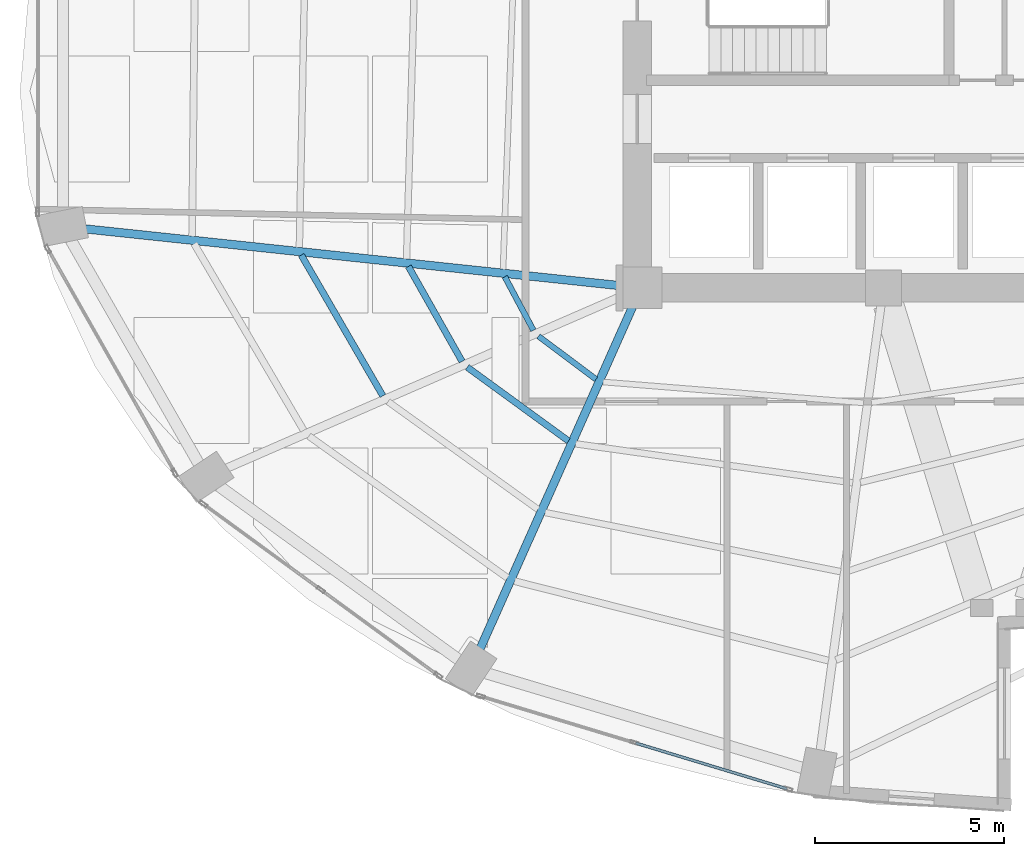
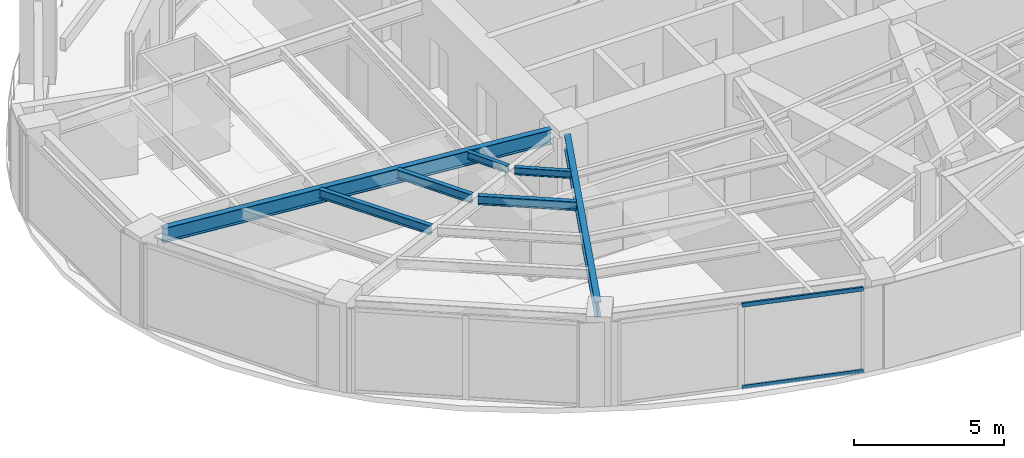
# One storey, part 4 of 24: 7 beams, 2 members, 1 element without a shape of its own.
"""IFC4 building model written with IfcOpenShell, lengths in metres."""

from ifc_helpers import new_model, si_unit, direction, frame, origin, origin_2d, place, context, subcontext, project, spatial, hollow_rectangle, i_section, extrude, material, layer, layer_set, material_profile, profile_set, type_object, element, aggregate, save


model = new_model("IFC4")

# Units and contexts
model_context = context("Model", 3, precision=1e-05, world=origin(), true_north=direction((0.0, 1.0)))
body_context = subcontext(model_context, "Body", "Model", "MODEL_VIEW")
ifc_project = project(units=[si_unit("LENGTHUNIT", "METRE"), si_unit("AREAUNIT", "SQUARE_METRE"), si_unit("VOLUMEUNIT", "CUBIC_METRE"), si_unit("PLANEANGLEUNIT", "RADIAN"), si_unit("MASSUNIT", "GRAM", prefix="KILO")], contexts=[model_context])

# Site, building, storey
site_placement = place(None, origin())
site = spatial("IfcSite", under=ifc_project, at=site_placement, CompositionType="ELEMENT")
building_placement = place(site_placement, origin())
building = spatial("IfcBuilding", under=site, at=building_placement, Name="Lazwardi Medical Tower", CompositionType="ELEMENT")
storey_placement = place(building_placement, frame((0.0, 0.0, 110.927978515625)))
storey = spatial("IfcBuildingStorey", under=building, at=storey_placement, Name="L28", CompositionType="ELEMENT", Elevation=110.927978515625)

# Beams
ifc_material_1 = material(Name="Steel S355", Category="steel")
ifc_material_profile_1 = material_profile(ifc_material_1, i_section(OverallWidth=0.219970703125, OverallDepth=0.60009765625, WebThickness=0.011962890625, FlangeThickness=0.01904296875, at=origin_2d()), Name="IPE 600")
ifc_profile_set_1 = profile_set([ifc_material_profile_1], Name="Steel S355")
beam_type_1 = type_object("IfcBeamType", Name="BM-RG-W1", PredefinedType="BEAM", material=ifc_profile_set_1)
beam_1_placement = place(storey_placement, frame((11.7138671875, 21.958984375, 3.1279296875), z_axis=(0.994413340753, -0.10555618282, 0.0), x_axis=(0.10555618282, 0.994413340753, 0.0)))
element("IfcBeam", 1, at=beam_1_placement, inside=storey, type_object=beam_type_1, Name="Radial girder RG-02 R13 L28", PredefinedType="BEAM", context=body_context, shape_type="SweptSolid", body=[
    extrude(i_section(OverallWidth=0.219970703125, OverallDepth=0.60009765625, WebThickness=0.011962890625, FlangeThickness=0.01904296875, at=origin_2d()), origin(), (0.0, 0.0, 1.0), 14.233642578125),
])
beam_2_placement = place(storey_placement, frame((22.152587890625, 10.872314453125, 3.1279296875), z_axis=(0.407165924957, 0.913354208155, 0.0), x_axis=(-0.913354208155, 0.407165924957, 0.0)))
element("IfcBeam", 2, at=beam_2_placement, inside=storey, type_object=beam_type_1, Name="Radial girder RG-02 R15 L28", PredefinedType="BEAM", context=body_context, shape_type="SweptSolid", body=[
    extrude(i_section(OverallWidth=0.219970703125, OverallDepth=0.60009765625, WebThickness=0.011962890625, FlangeThickness=0.01904296875, at=origin_2d()), origin(), (0.0, 0.0, 1.0), 9.896484375),
])
ifc_material_profile_2 = material_profile(ifc_material_1, i_section(OverallWidth=0.169921875, OverallDepth=0.360107421875, WebThickness=0.008056640625, FlangeThickness=0.0126953125, at=origin_2d()), Name="IPE 360")
ifc_profile_set_2 = profile_set([ifc_material_profile_2], Name="Steel S355")
beam_type_2 = type_object("IfcBeamType", Name="BM-SJ-02", PredefinedType="JOIST", material=ifc_profile_set_2)
beam_3_placement = place(storey_placement, frame((17.42822265625, 21.26708984375, 3.248046875), z_axis=(0.501365325212, -0.865235696602, 0.0), x_axis=(0.865235696602, 0.501365325212, 0.0)))
element("IfcBeam", 3, at=beam_3_placement, inside=storey, type_object=beam_type_2, Name="Secondary joist SJ-02 R2 B13 L28", PredefinedType="JOIST", context=body_context, shape_type="SweptSolid", body=[
    extrude(i_section(OverallWidth=0.169921875, OverallDepth=0.360107421875, WebThickness=0.008056640625, FlangeThickness=0.0126953125, at=origin_2d()), origin(), (0.0, 0.0, 1.0), 4.298828125),
])
beam_4_placement = place(storey_placement, frame((20.258056640625, 20.966064453125, 3.248046875), z_axis=(0.492026539517, -0.870580199873, 0.0), x_axis=(0.870580199873, 0.492026539517, 0.0)))
element("IfcBeam", 4, at=beam_4_placement, inside=storey, type_object=beam_type_2, Name="Secondary joist SJ-02 R3 B13 L28", PredefinedType="JOIST", context=body_context, shape_type="SweptSolid", body=[
    extrude(i_section(OverallWidth=0.169921875, OverallDepth=0.360107421875, WebThickness=0.008056640625, FlangeThickness=0.0126953125, at=origin_2d()), origin(), (0.0, 0.0, 1.0), 2.880859375),
])
beam_5_placement = place(storey_placement, frame((21.81201171875, 18.3046875, 3.248046875), z_axis=(0.808301737247, -0.588768461761, 0.0), x_axis=(0.588768461761, 0.808301737247, 0.0)))
element("IfcBeam", 5, at=beam_5_placement, inside=storey, type_object=beam_type_2, Name="Secondary joist SJ-02 R3 B14 L28", PredefinedType="JOIST", context=body_context, shape_type="SweptSolid", body=[
    extrude(i_section(OverallWidth=0.169921875, OverallDepth=0.360107421875, WebThickness=0.008056640625, FlangeThickness=0.0126953125, at=origin_2d()), origin(), (0.0, 0.0, 1.0), 3.307373046875),
])
ifc_material_profile_3 = material_profile(ifc_material_1, i_section(OverallWidth=0.14990234375, OverallDepth=0.300048828125, WebThickness=0.007080078125, FlangeThickness=0.0107421875, at=origin_2d()), Name="IPE 300")
ifc_profile_set_3 = profile_set([ifc_material_profile_3], Name="Steel S355")
beam_type_3 = type_object("IfcBeamType", Name="BM-SJ-03", PredefinedType="JOIST", material=ifc_profile_set_3)
beam_6_placement = place(storey_placement, frame((22.8037109375, 20.6943359375, 3.278076171875), z_axis=(0.471022344925, -0.882121278839, 0.0), x_axis=(0.882121278839, 0.471022344925, 0.0)))
element("IfcBeam", 6, at=beam_6_placement, inside=storey, type_object=beam_type_3, Name="Secondary joist SJ-03 R4 B13 L28", PredefinedType="JOIST", context=body_context, shape_type="SweptSolid", body=[
    extrude(i_section(OverallWidth=0.14990234375, OverallDepth=0.300048828125, WebThickness=0.007080078125, FlangeThickness=0.0107421875, at=origin_2d()), origin(), (0.0, 0.0, 1.0), 1.605224609375),
])
beam_7_placement = place(storey_placement, frame((23.693359375, 19.12255859375, 3.278076171875), z_axis=(0.800447687995, -0.599402618265, 0.0), x_axis=(0.599402618265, 0.800447687995, 0.0)))
element("IfcBeam", 7, at=beam_7_placement, inside=storey, type_object=beam_type_3, Name="Secondary joist SJ-03 R4 B14 L28", PredefinedType="JOIST", context=body_context, shape_type="SweptSolid", body=[
    extrude(i_section(OverallWidth=0.14990234375, OverallDepth=0.300048828125, WebThickness=0.007080078125, FlangeThickness=0.0107421875, at=origin_2d()), origin(), (0.0, 0.0, 1.0), 1.896728515625),
])

# Curtain wall, members
ifc_material_2 = material(Name="Anodised bronze aluminium and solar control glazing", Category="aluminium")
ifc_layer = layer(ifc_material_2, 0.195068359375)
ifc_layer_set = layer_set([ifc_layer], Name="Anodised bronze aluminium and solar control glazing")
curtain_wall_type = type_object("IfcCurtainWallType", Name="CW-SYS-03", PredefinedType="NOTDEFINED", material=ifc_layer_set)
curtain_wall_placement = place(storey_placement, origin())
curtain_wall = element("IfcCurtainWall", 8, at=curtain_wall_placement, inside=storey, type_object=curtain_wall_type, Name="L28 Unitised bronze curtain wall CW-03", PredefinedType="NOTDEFINED")
ifc_material_3 = material(Name="Anodised bronze aluminium", Category="aluminium")
ifc_material_profile_4 = material_profile(ifc_material_3, hollow_rectangle(XDim=0.074951171875, YDim=0.159912109375, WallThickness=0.00390625, at=origin_2d()), Name="ALU-TRANSOM 160x75x4")
ifc_profile_set_4 = profile_set([ifc_material_profile_4], Name="Anodised bronze aluminium")
member_type = type_object("IfcMemberType", Name="CW-TRN-01", PredefinedType="USERDEFINED", material=ifc_profile_set_4)
member_1_placement = place(storey_placement, frame((26.2666015625, 8.3759765625, 0.03759765625), z_axis=(0.957220865985, -0.289358279168, 0.0), x_axis=(0.289358279168, 0.957220865985, 0.0)))
member_1 = element("IfcMember", 9, at=member_1_placement, type_object=member_type, Name="CW-03 transom 2.1", ObjectType="TRANSOM", PredefinedType="USERDEFINED", context=body_context, shape_type="SweptSolid", body=[
    extrude(hollow_rectangle(XDim=0.074951171875, YDim=0.159912109375, WallThickness=0.00390625, at=origin_2d()), origin(), (0.0, 0.0, 1.0), 4.16552734375),
])
member_2_placement = place(storey_placement, frame((26.2666015625, 8.3759765625, 3.390625), z_axis=(0.957220865985, -0.289358279168, 0.0), x_axis=(0.289358279168, 0.957220865985, 0.0)))
member_2 = element("IfcMember", 10, at=member_2_placement, type_object=member_type, Name="CW-03 transom 2.2", ObjectType="TRANSOM", PredefinedType="USERDEFINED", context=body_context, shape_type="SweptSolid", body=[
    extrude(hollow_rectangle(XDim=0.074951171875, YDim=0.159912109375, WallThickness=0.00390625, at=origin_2d()), origin(), (0.0, 0.0, 1.0), 4.16552734375),
])
aggregate(curtain_wall, [member_1, member_2])

save(model, "model.ifc")
